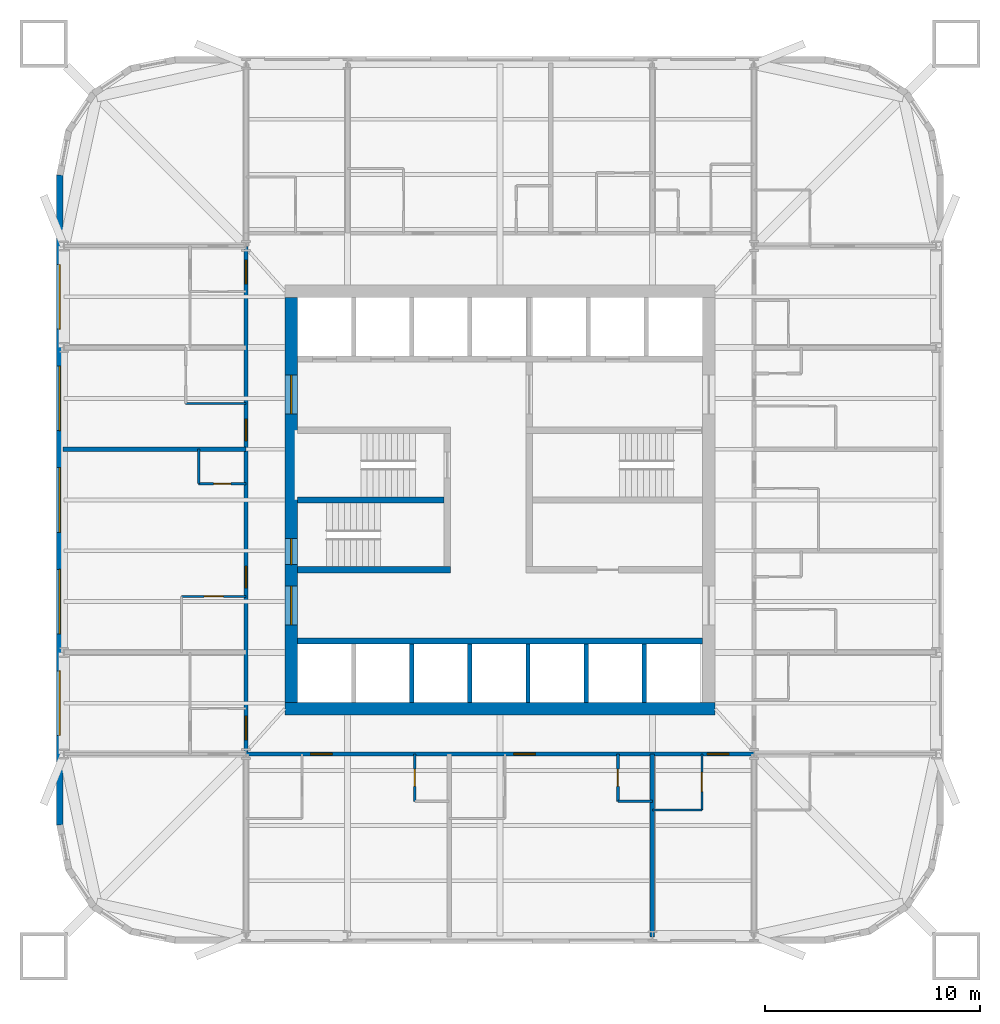
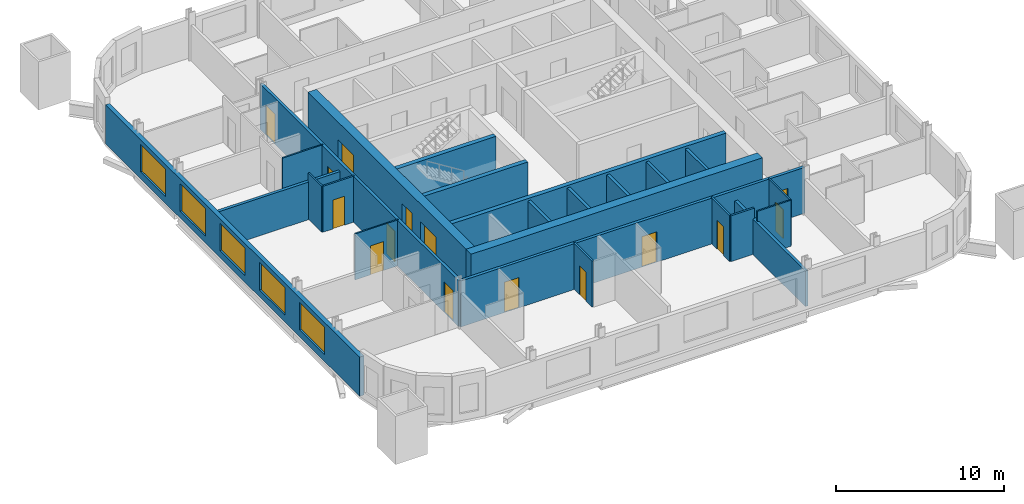
# One storey, part 3 of 8: 24 walls, 15 doors, 5 windows, 20 openings.
"""IFC4 building model written with IfcOpenShell, lengths in metres."""

from ifc_helpers import new_model, si_unit, direction, frame, frame_2d, origin, place, context, subcontext, project, spatial, rectangle, extrude, material, layer, layer_set, type_object, element, fill, save


model = new_model("IFC4")

# Units and contexts
model_context = context("Model", 3, precision=1e-05, world=origin(), true_north=direction((0.0, 1.0)))
body_context = subcontext(model_context, "Body", "Model", "MODEL_VIEW")
ifc_project = project(units=[si_unit("LENGTHUNIT", "METRE"), si_unit("AREAUNIT", "SQUARE_METRE"), si_unit("VOLUMEUNIT", "CUBIC_METRE"), si_unit("PLANEANGLEUNIT", "RADIAN"), si_unit("MASSUNIT", "GRAM", prefix="KILO")], contexts=[model_context])

# Site, building, storey
site_placement = place(None, origin())
site = spatial("IfcSite", under=ifc_project, at=site_placement, CompositionType="ELEMENT")
building_placement = place(site_placement, origin())
building = spatial("IfcBuilding", under=site, at=building_placement, Name="Turquesa Mirador Hotel Tower", CompositionType="ELEMENT")
storey_placement = place(building_placement, frame((0.0, 0.0, 103.89990234375)))
storey = spatial("IfcBuildingStorey", under=building, at=storey_placement, Name="L27", CompositionType="ELEMENT", Elevation=103.89990234375)

# Wall
ifc_material_1 = material(Name="Gypsum board on steel studs", Category="steel")
ifc_layer_1 = layer(ifc_material_1, 0.10009765625)
ifc_layer_set_1 = layer_set([ifc_layer_1], Name="BATHROOM WALL 100")
wall_type_1 = type_object("IfcWallType", Name="BATHROOM WALL 100", PredefinedType="PARTITIONING", material=ifc_layer_set_1)
wall_1_placement = place(storey_placement, frame((62.080078125, 30.60009765625, 0.0), z_axis=(0.0, 0.0, 1.0), x_axis=(1.0, 0.0, 0.0)))
element("IfcWall", 1, at=wall_1_placement, inside=storey, type_object=wall_type_1, Name="Partition L27 007", PredefinedType="PARTITIONING", context=body_context, shape_type="SweptSolid", body=[
    extrude(rectangle(XDim=2.2998046875, YDim=0.10009765625, at=frame_2d((1.14990234375, 0.0))), origin(), (0.0, 0.0, 1.0), 3.330078125),
])

# Wall, opening, door
wall_2_placement = place(storey_placement, frame((40.199951171875, 40.52001953125, 0.0), z_axis=(0.0, 0.0, 1.0), x_axis=(1.0, 0.0, 0.0)))
wall_2 = element("IfcWall", 2, at=wall_2_placement, inside=storey, type_object=wall_type_1, Name="Partition L27 013", PredefinedType="PARTITIONING", context=body_context, shape_type="SweptSolid", body=[
    extrude(rectangle(XDim=3.0, YDim=0.10009765625, at=frame_2d((1.5, 0.0))), origin(), (0.0, 0.0, 1.0), 3.330078125),
])
opening_1_placement = place(wall_2_placement, frame((1.050048828125, 0.0, 0.0)))
opening_1 = element("IfcOpeningElement", 3, at=opening_1_placement, cuts=wall_2, Name="Opening D02", PredefinedType="OPENING", context=body_context, shape_type="SweptSolid", body=[
    extrude(rectangle(XDim=0.89990234375, YDim=2.10009765625, at=frame_2d((0.449951171875, 1.050048828125))), frame((0.0, 0.06005859375, 0.0), z_axis=(0.0, -1.0, 0.0), x_axis=(1.0, 0.0, 0.0)), (0.0, 0.0, 1.0), 0.1201171875),
])
ifc_material_2 = material(Name="Timber veneered door", Category="wood")
door_type_1 = type_object("IfcDoorType", Name="DOOR 900X2100 EN-SUITE", OperationType="SINGLE_SWING_RIGHT", PredefinedType="DOOR", material=ifc_material_2)
door_1_placement = place(opening_1_placement, origin())
door_1 = element("IfcDoor", 4, at=door_1_placement, inside=storey, type_object=door_type_1, Name="Door 2711B", OperationType="SINGLE_SWING_RIGHT", OverallHeight=2.10009765625, OverallWidth=0.89990234375, PredefinedType="DOOR", context=body_context, shape_type="SweptSolid", body=[
    extrude(rectangle(XDim=0.89990234375, YDim=2.10009765625, at=frame_2d((0.449951171875, 1.050048828125))), frame((0.0, 0.02490234375, 0.0), z_axis=(0.0, -1.0, 0.0), x_axis=(1.0, 0.0, 0.0)), (0.0, 0.0, 1.0), 0.050048828125),
])
fill(opening_1, door_1)

# Wall
wall_3_placement = place(storey_placement, frame((40.39990234375, 49.47998046875, 0.0), z_axis=(0.0, 0.0, 1.0), x_axis=(1.0, 0.0, 0.0)))
element("IfcWall", 5, at=wall_3_placement, inside=storey, type_object=wall_type_1, Name="Partition L27 035", PredefinedType="PARTITIONING", context=body_context, shape_type="SweptSolid", body=[
    extrude(rectangle(XDim=2.800048828125, YDim=0.10009765625, at=frame_2d((1.39990234375, 0.0))), origin(), (0.0, 0.0, 1.0), 3.330078125),
])

# Wall, opening, door
wall_4_placement = place(storey_placement, frame((64.3798828125, 30.60009765625, 0.0), z_axis=(0.0, 0.0, 1.0), x_axis=(0.0, 1.0, 0.0)))
wall_4 = element("IfcWall", 6, at=wall_4_placement, inside=storey, type_object=wall_type_1, Name="Partition L27 078", PredefinedType="PARTITIONING", context=body_context, shape_type="SweptSolid", body=[
    extrude(rectangle(XDim=2.599853515625, YDim=0.10009765625, at=frame_2d((1.2998046875, 0.0))), origin(), (0.0, 0.0, 1.0), 3.330078125),
])
opening_2_placement = place(wall_4_placement, frame((0.85009765625, 0.0, 0.0)))
opening_2 = element("IfcOpeningElement", 7, at=opening_2_placement, cuts=wall_4, Name="Opening D02", PredefinedType="OPENING", context=body_context, shape_type="SweptSolid", body=[
    extrude(rectangle(XDim=0.89990234375, YDim=2.10009765625, at=frame_2d((0.449951171875, 1.050048828125))), frame((0.0, 0.06005859375, 0.0), z_axis=(0.0, -1.0, 0.0), x_axis=(1.0, 0.0, 0.0)), (0.0, 0.0, 1.0), 0.1201171875),
])
door_2_placement = place(opening_2_placement, origin())
door_2 = element("IfcDoor", 8, at=door_2_placement, inside=storey, type_object=door_type_1, Name="Door 2707B", OperationType="SINGLE_SWING_RIGHT", OverallHeight=2.10009765625, OverallWidth=0.89990234375, PredefinedType="DOOR", context=body_context, shape_type="SweptSolid", body=[
    extrude(rectangle(XDim=0.89990234375, YDim=2.10009765625, at=frame_2d((0.449951171875, 1.050048828125))), frame((0.0, 0.02490234375, 0.0), z_axis=(0.0, -1.0, 0.0), x_axis=(1.0, 0.0, 0.0)), (0.0, 0.0, 1.0), 0.050048828125),
])
fill(opening_2, door_2)

# Walls
ifc_material_3 = material(Name="Concrete C50/60", Category="concrete")
ifc_layer_2 = layer(ifc_material_3, 0.300048828125)
ifc_layer_set_2 = layer_set([ifc_layer_2], Name="CORE INNER WALL 300")
wall_type_2 = type_object("IfcWallType", Name="CORE INNER WALL 300", PredefinedType="SHEAR", material=ifc_layer_set_2)
wall_5_placement = place(storey_placement, frame((45.60009765625, 38.449951171875, 0.0), z_axis=(0.0, 0.0, 1.0), x_axis=(1.0, 0.0, 0.0)))
element("IfcWall", 9, at=wall_5_placement, inside=storey, type_object=wall_type_2, Name="Core wall SL", PredefinedType="SHEAR", context=body_context, shape_type="SweptSolid", body=[
    extrude(rectangle(XDim=18.7998046875, YDim=0.300048828125, at=frame_2d((9.39990234375, 0.0))), origin(), (0.0, 0.0, 1.0), 3.5),
])
wall_6_placement = place(storey_placement, frame((45.60009765625, 41.75, 0.0), z_axis=(0.0, 0.0, 1.0), x_axis=(1.0, 0.0, 0.0)))
element("IfcWall", 10, at=wall_6_placement, inside=storey, type_object=wall_type_2, Name="Core wall MS-W", PredefinedType="SHEAR", context=body_context, shape_type="SweptSolid", body=[
    extrude(rectangle(XDim=7.099853515625, YDim=0.300048828125, at=frame_2d((3.5498046875, 0.0))), origin(), (0.0, 0.0, 1.0), 3.5),
])
wall_7_placement = place(storey_placement, frame((45.60009765625, 45.0, 0.0), z_axis=(0.0, 0.0, 1.0), x_axis=(1.0, 0.0, 0.0)))
element("IfcWall", 11, at=wall_7_placement, inside=storey, type_object=wall_type_2, Name="Core wall M0-W", PredefinedType="SHEAR", context=body_context, shape_type="SweptSolid", body=[
    extrude(rectangle(XDim=6.7998046875, YDim=0.300048828125, at=frame_2d((3.39990234375, 0.0))), origin(), (0.0, 0.0, 1.0), 3.5),
])
ifc_material_4 = material(Name="Concrete C50/60", Category="concrete")
ifc_layer_3 = layer(ifc_material_4, 0.60009765625)
ifc_layer_set_3 = layer_set([ifc_layer_3], Name="CORE WALL 600")
wall_type_3 = type_object("IfcWallType", Name="CORE WALL 600", PredefinedType="SHEAR", material=ifc_layer_set_3)
wall_8_placement = place(storey_placement, frame((45.0, 35.300048828125, 0.0), z_axis=(0.0, 0.0, 1.0), x_axis=(1.0, 0.0, 0.0)))
element("IfcWall", 12, at=wall_8_placement, inside=storey, type_object=wall_type_3, Name="Core wall S", PredefinedType="SHEAR", context=body_context, shape_type="SweptSolid", body=[
    extrude(rectangle(XDim=20.0, YDim=0.60009765625, at=frame_2d((10.0, 0.0))), origin(), (0.0, 0.0, 1.0), 3.5),
])

# Wall, openings, doors
wall_9_placement = place(storey_placement, frame((45.300048828125, 35.60009765625, 0.0), z_axis=(0.0, 0.0, 1.0), x_axis=(0.0, 1.0, 0.0)))
wall_9 = element("IfcWall", 13, at=wall_9_placement, inside=storey, type_object=wall_type_3, Name="Core wall W", PredefinedType="SHEAR", context=body_context, shape_type="SweptSolid", body=[
    extrude(rectangle(XDim=18.7998046875, YDim=0.60009765625, at=frame_2d((9.39990234375, 0.0))), origin(), (0.0, 0.0, 1.0), 3.5),
])
opening_3_placement = place(wall_9_placement, frame((13.39990234375, 0.0, 0.0)))
opening_3 = element("IfcOpeningElement", 14, at=opening_3_placement, cuts=wall_9, Name="Opening D04", PredefinedType="OPENING", context=body_context, shape_type="SweptSolid", body=[
    extrude(rectangle(XDim=1.800048828125, YDim=2.199951171875, at=frame_2d((0.89990234375, 1.10009765625))), frame((0.0, 0.31005859375, 0.0), z_axis=(0.0, -1.0, 0.0), x_axis=(1.0, 0.0, 0.0)), (0.0, 0.0, 1.0), 0.6201171875),
])
opening_4_placement = place(wall_9_placement, frame((3.60009765625, 0.0, 0.0)))
opening_4 = element("IfcOpeningElement", 15, at=opening_4_placement, cuts=wall_9, Name="Opening D04", PredefinedType="OPENING", context=body_context, shape_type="SweptSolid", body=[
    extrude(rectangle(XDim=1.800048828125, YDim=2.199951171875, at=frame_2d((0.89990234375, 1.10009765625))), frame((0.0, 0.31005859375, 0.0), z_axis=(0.0, -1.0, 0.0), x_axis=(1.0, 0.0, 0.0)), (0.0, 0.0, 1.0), 0.6201171875),
])
opening_5_placement = place(wall_9_placement, frame((6.39990234375, 0.0, 0.0)))
opening_5 = element("IfcOpeningElement", 16, at=opening_5_placement, cuts=wall_9, Name="Opening D03", PredefinedType="OPENING", context=body_context, shape_type="SweptSolid", body=[
    extrude(rectangle(XDim=1.199951171875, YDim=2.199951171875, at=frame_2d((0.60009765625, 1.10009765625))), frame((0.0, 0.31005859375, 0.0), z_axis=(0.0, -1.0, 0.0), x_axis=(1.0, 0.0, 0.0)), (0.0, 0.0, 1.0), 0.6201171875),
])
ifc_material_5 = material(Name="Steel fire door", Category="steel")
door_type_2 = type_object("IfcDoorType", Name="DOOR 1200X2200 STAIR", OperationType="SINGLE_SWING_LEFT", PredefinedType="DOOR", material=ifc_material_5)
door_3_placement = place(opening_5_placement, origin())
door_3 = element("IfcDoor", 17, at=door_3_placement, inside=storey, type_object=door_type_2, Name="Stair ST2 door", OperationType="SINGLE_SWING_LEFT", OverallHeight=2.199951171875, OverallWidth=1.199951171875, PredefinedType="DOOR", context=body_context, shape_type="SweptSolid", body=[
    extrude(rectangle(XDim=1.199951171875, YDim=2.199951171875, at=frame_2d((0.60009765625, 1.10009765625))), frame((0.0, 0.02490234375, 0.0), z_axis=(0.0, -1.0, 0.0), x_axis=(1.0, 0.0, 0.0)), (0.0, 0.0, 1.0), 0.050048828125),
])
fill(opening_5, door_3)
ifc_material_6 = material(Name="Steel fire door pair", Category="steel")
door_type_3 = type_object("IfcDoorType", Name="DOOR 1800X2200 PAIR", OperationType="DOUBLE_DOOR_SINGLE_SWING", PredefinedType="DOOR", material=ifc_material_6)
door_4_placement = place(opening_3_placement, origin())
door_4 = element("IfcDoor", 18, at=door_4_placement, inside=storey, type_object=door_type_3, Name="North lift lobby door", OperationType="DOUBLE_DOOR_SINGLE_SWING", OverallHeight=2.199951171875, OverallWidth=1.800048828125, PredefinedType="DOOR", context=body_context, shape_type="SweptSolid", body=[
    extrude(rectangle(XDim=1.800048828125, YDim=2.199951171875, at=frame_2d((0.89990234375, 1.10009765625))), frame((0.0, 0.02490234375, 0.0), z_axis=(0.0, -1.0, 0.0), x_axis=(1.0, 0.0, 0.0)), (0.0, 0.0, 1.0), 0.050048828125),
])
fill(opening_3, door_4)
door_5_placement = place(opening_4_placement, origin())
door_5 = element("IfcDoor", 19, at=door_5_placement, inside=storey, type_object=door_type_3, Name="South lift lobby door", OperationType="DOUBLE_DOOR_SINGLE_SWING", OverallHeight=2.199951171875, OverallWidth=1.800048828125, PredefinedType="DOOR", context=body_context, shape_type="SweptSolid", body=[
    extrude(rectangle(XDim=1.800048828125, YDim=2.199951171875, at=frame_2d((0.89990234375, 1.10009765625))), frame((0.0, 0.02490234375, 0.0), z_axis=(0.0, -1.0, 0.0), x_axis=(1.0, 0.0, 0.0)), (0.0, 0.0, 1.0), 0.050048828125),
])
fill(opening_4, door_5)

ifc_material_7 = material(Name="Fire-rated gypsum board on steel studs", Category="steel")
ifc_layer_4 = layer(ifc_material_7, 0.199951171875)
ifc_layer_set_4 = layer_set([ifc_layer_4], Name="CORRIDOR WALL 200")
wall_type_4 = type_object("IfcWallType", Name="CORRIDOR WALL 200", PredefinedType="PARTITIONING", material=ifc_layer_set_4)
wall_10_placement = place(storey_placement, frame((43.199951171875, 33.199951171875, 0.0), z_axis=(0.0, 0.0, 1.0), x_axis=(1.0, 0.0, 0.0)))
wall_10 = element("IfcWall", 20, at=wall_10_placement, inside=storey, type_object=wall_type_4, Name="Partition L27 002", PredefinedType="PARTITIONING", context=body_context, shape_type="SweptSolid", body=[
    extrude(rectangle(XDim=23.60009765625, YDim=0.199951171875, at=frame_2d((11.800048828125, 0.0))), origin(), (0.0, 0.0, 1.0), 3.330078125),
])
opening_6_placement = place(wall_10_placement, frame((3.0, 0.0, 0.0)))
opening_6 = element("IfcOpeningElement", 21, at=opening_6_placement, cuts=wall_10, Name="Opening D01", PredefinedType="OPENING", context=body_context, shape_type="SweptSolid", body=[
    extrude(rectangle(XDim=1.0, YDim=2.199951171875, at=frame_2d((0.5, 1.10009765625))), frame((0.0, 0.10986328125, 0.0), z_axis=(0.0, -1.0, 0.0), x_axis=(1.0, 0.0, 0.0)), (0.0, 0.0, 1.0), 0.219970703125),
])
opening_7_placement = place(wall_10_placement, frame((12.43994140625, 0.0, 0.0)))
opening_7 = element("IfcOpeningElement", 22, at=opening_7_placement, cuts=wall_10, Name="Opening D01", PredefinedType="OPENING", context=body_context, shape_type="SweptSolid", body=[
    extrude(rectangle(XDim=1.0, YDim=2.199951171875, at=frame_2d((0.5, 1.10009765625))), frame((0.0, 0.10986328125, 0.0), z_axis=(0.0, -1.0, 0.0), x_axis=(1.0, 0.0, 0.0)), (0.0, 0.0, 1.0), 0.219970703125),
])
opening_8_placement = place(wall_10_placement, frame((21.429931640625, 0.0, 0.0)))
opening_8 = element("IfcOpeningElement", 23, at=opening_8_placement, cuts=wall_10, Name="Opening D01", PredefinedType="OPENING", context=body_context, shape_type="SweptSolid", body=[
    extrude(rectangle(XDim=1.0, YDim=2.199951171875, at=frame_2d((0.5, 1.10009765625))), frame((0.0, 0.10986328125, 0.0), z_axis=(0.0, -1.0, 0.0), x_axis=(1.0, 0.0, 0.0)), (0.0, 0.0, 1.0), 0.219970703125),
])
ifc_material_8 = material(Name="Timber veneered fire door", Category="wood")
door_type_4 = type_object("IfcDoorType", Name="DOOR 1000X2200 GUEST ENTRY", OperationType="SINGLE_SWING_LEFT", PredefinedType="DOOR", material=ifc_material_8)
door_6_placement = place(opening_6_placement, origin())
door_6 = element("IfcDoor", 24, at=door_6_placement, inside=storey, type_object=door_type_4, Name="Door 2705", OperationType="SINGLE_SWING_LEFT", OverallHeight=2.199951171875, OverallWidth=1.0, PredefinedType="DOOR", context=body_context, shape_type="SweptSolid", body=[
    extrude(rectangle(XDim=1.0, YDim=2.199951171875, at=frame_2d((0.5, 1.10009765625))), frame((0.0, 0.02490234375, 0.0), z_axis=(0.0, -1.0, 0.0), x_axis=(1.0, 0.0, 0.0)), (0.0, 0.0, 1.0), 0.050048828125),
])
fill(opening_6, door_6)
door_7_placement = place(opening_7_placement, origin())
door_7 = element("IfcDoor", 25, at=door_7_placement, inside=storey, type_object=door_type_4, Name="Door 2706", OperationType="SINGLE_SWING_LEFT", OverallHeight=2.199951171875, OverallWidth=1.0, PredefinedType="DOOR", context=body_context, shape_type="SweptSolid", body=[
    extrude(rectangle(XDim=1.0, YDim=2.199951171875, at=frame_2d((0.5, 1.10009765625))), frame((0.0, 0.02490234375, 0.0), z_axis=(0.0, -1.0, 0.0), x_axis=(1.0, 0.0, 0.0)), (0.0, 0.0, 1.0), 0.050048828125),
])
fill(opening_7, door_7)
door_8_placement = place(opening_8_placement, origin())
door_8 = element("IfcDoor", 26, at=door_8_placement, inside=storey, type_object=door_type_4, Name="Door 2707", OperationType="SINGLE_SWING_LEFT", OverallHeight=2.199951171875, OverallWidth=1.0, PredefinedType="DOOR", context=body_context, shape_type="SweptSolid", body=[
    extrude(rectangle(XDim=1.0, YDim=2.199951171875, at=frame_2d((0.5, 1.10009765625))), frame((0.0, 0.02490234375, 0.0), z_axis=(0.0, -1.0, 0.0), x_axis=(1.0, 0.0, 0.0)), (0.0, 0.0, 1.0), 0.050048828125),
])
fill(opening_8, door_8)

wall_11_placement = place(storey_placement, frame((43.199951171875, 33.199951171875, 0.0), z_axis=(0.0, 0.0, 1.0), x_axis=(0.0, 1.0, 0.0)))
wall_11 = element("IfcWall", 27, at=wall_11_placement, inside=storey, type_object=wall_type_4, Name="Partition L27 042", PredefinedType="PARTITIONING", context=body_context, shape_type="SweptSolid", body=[
    extrude(rectangle(XDim=23.580078125, YDim=0.199951171875, at=frame_2d((11.7900390625, 0.0))), origin(), (0.0, 0.0, 1.0), 3.330078125),
])
opening_9_placement = place(wall_11_placement, frame((7.719970703125, 0.0, 0.0)))
opening_9 = element("IfcOpeningElement", 28, at=opening_9_placement, cuts=wall_11, Name="Opening D01", PredefinedType="OPENING", context=body_context, shape_type="SweptSolid", body=[
    extrude(rectangle(XDim=1.0, YDim=2.199951171875, at=frame_2d((0.5, 1.10009765625))), frame((0.0, 0.10986328125, 0.0), z_axis=(0.0, -1.0, 0.0), x_axis=(1.0, 0.0, 0.0)), (0.0, 0.0, 1.0), 0.219970703125),
])
opening_10_placement = place(wall_11_placement, frame((14.56005859375, 0.0, 0.0)))
opening_10 = element("IfcOpeningElement", 29, at=opening_10_placement, cuts=wall_11, Name="Opening D01", PredefinedType="OPENING", context=body_context, shape_type="SweptSolid", body=[
    extrude(rectangle(XDim=1.0, YDim=2.199951171875, at=frame_2d((0.5, 1.10009765625))), frame((0.0, 0.10986328125, 0.0), z_axis=(0.0, -1.0, 0.0), x_axis=(1.0, 0.0, 0.0)), (0.0, 0.0, 1.0), 0.219970703125),
])
opening_11_placement = place(wall_11_placement, frame((21.840087890625, 0.0, 0.0)))
opening_11 = element("IfcOpeningElement", 30, at=opening_11_placement, cuts=wall_11, Name="Opening D15", PredefinedType="OPENING", context=body_context, shape_type="SweptSolid", body=[
    extrude(rectangle(XDim=1.10009765625, YDim=2.199951171875, at=frame_2d((0.550048828125, 1.10009765625))), frame((0.0, 0.10986328125, 0.0), z_axis=(0.0, -1.0, 0.0), x_axis=(1.0, 0.0, 0.0)), (0.0, 0.0, 1.0), 0.219970703125),
])
opening_12_placement = place(wall_11_placement, frame((0.659912109375, 0.0, 0.0)))
opening_12 = element("IfcOpeningElement", 31, at=opening_12_placement, cuts=wall_11, Name="Opening D15", PredefinedType="OPENING", context=body_context, shape_type="SweptSolid", body=[
    extrude(rectangle(XDim=1.10009765625, YDim=2.199951171875, at=frame_2d((0.550048828125, 1.10009765625))), frame((0.0, 0.10986328125, 0.0), z_axis=(0.0, -1.0, 0.0), x_axis=(1.0, 0.0, 0.0)), (0.0, 0.0, 1.0), 0.219970703125),
])
door_9_placement = place(opening_9_placement, origin())
door_9 = element("IfcDoor", 32, at=door_9_placement, inside=storey, type_object=door_type_4, Name="Door 2711", OperationType="SINGLE_SWING_LEFT", OverallHeight=2.199951171875, OverallWidth=1.0, PredefinedType="DOOR", context=body_context, shape_type="SweptSolid", body=[
    extrude(rectangle(XDim=1.0, YDim=2.199951171875, at=frame_2d((0.5, 1.10009765625))), frame((0.0, 0.02490234375, 0.0), z_axis=(0.0, -1.0, 0.0), x_axis=(1.0, 0.0, 0.0)), (0.0, 0.0, 1.0), 0.050048828125),
])
fill(opening_9, door_9)
door_10_placement = place(opening_10_placement, origin())
door_10 = element("IfcDoor", 33, at=door_10_placement, inside=storey, type_object=door_type_4, Name="Door 2712", OperationType="SINGLE_SWING_LEFT", OverallHeight=2.199951171875, OverallWidth=1.0, PredefinedType="DOOR", context=body_context, shape_type="SweptSolid", body=[
    extrude(rectangle(XDim=1.0, YDim=2.199951171875, at=frame_2d((0.5, 1.10009765625))), frame((0.0, 0.02490234375, 0.0), z_axis=(0.0, -1.0, 0.0), x_axis=(1.0, 0.0, 0.0)), (0.0, 0.0, 1.0), 0.050048828125),
])
fill(opening_10, door_10)
ifc_material_9 = material(Name="Timber veneered fire door", Category="wood")
door_type_5 = type_object("IfcDoorType", Name="DOOR 1100X2200 SUITE ENTRY", OperationType="SINGLE_SWING_LEFT", PredefinedType="DOOR", material=ifc_material_9)
door_11_placement = place(opening_11_placement, origin())
door_11 = element("IfcDoor", 34, at=door_11_placement, inside=storey, type_object=door_type_5, Name="Door 2714H", OperationType="SINGLE_SWING_LEFT", OverallHeight=2.199951171875, OverallWidth=1.10009765625, PredefinedType="DOOR", context=body_context, shape_type="SweptSolid", body=[
    extrude(rectangle(XDim=1.10009765625, YDim=2.199951171875, at=frame_2d((0.550048828125, 1.10009765625))), frame((0.0, 0.02490234375, 0.0), z_axis=(0.0, -1.0, 0.0), x_axis=(1.0, 0.0, 0.0)), (0.0, 0.0, 1.0), 0.050048828125),
])
fill(opening_11, door_11)
door_12_placement = place(opening_12_placement, origin())
door_12 = element("IfcDoor", 35, at=door_12_placement, inside=storey, type_object=door_type_5, Name="Door 2715H", OperationType="SINGLE_SWING_LEFT", OverallHeight=2.199951171875, OverallWidth=1.10009765625, PredefinedType="DOOR", context=body_context, shape_type="SweptSolid", body=[
    extrude(rectangle(XDim=1.10009765625, YDim=2.199951171875, at=frame_2d((0.550048828125, 1.10009765625))), frame((0.0, 0.02490234375, 0.0), z_axis=(0.0, -1.0, 0.0), x_axis=(1.0, 0.0, 0.0)), (0.0, 0.0, 1.0), 0.050048828125),
])
fill(opening_12, door_12)

# Wall, openings, windows
ifc_material_10 = material(Name="Limestone cladding on concrete block", Category="masonry")
ifc_layer_5 = layer(ifc_material_10, 0.300048828125)
ifc_layer_set_5 = layer_set([ifc_layer_5], Name="FACADE WALL 300 STONE SCREEN")
wall_type_5 = type_object("IfcWallType", Name="FACADE WALL 300 STONE SCREEN", PredefinedType="SOLIDWALL", material=ifc_layer_set_5)
wall_12_placement = place(storey_placement, frame((34.550048828125, 60.10009765625, 0.0), z_axis=(0.0, 0.0, 1.0), x_axis=(0.0, -1.0, 0.0)))
wall_12 = element("IfcWall", 36, at=wall_12_placement, inside=storey, type_object=wall_type_5, Name="Facade wall L27 14", PredefinedType="SOLIDWALL", context=body_context, shape_type="SweptSolid", body=[
    extrude(rectangle(XDim=30.2001953125, YDim=0.300048828125, at=frame_2d((15.10009765625, 0.0))), origin(), (0.0, 0.0, 1.0), 2.830078125),
])
opening_13_placement = place(wall_12_placement, frame((4.159912109375, 0.0, 0.5)))
opening_13 = element("IfcOpeningElement", 37, at=opening_13_placement, cuts=wall_12, Name="Opening WN1", PredefinedType="OPENING", context=body_context, shape_type="SweptSolid", body=[
    extrude(rectangle(XDim=3.0, YDim=2.0, at=frame_2d((1.5, 1.0))), frame((0.0, 0.159912109375, 0.0), z_axis=(0.0, -1.0, 0.0), x_axis=(1.0, 0.0, 0.0)), (0.0, 0.0, 1.0), 0.320068359375),
])
opening_14_placement = place(wall_12_placement, frame((8.8798828125, 0.0, 0.5)))
opening_14 = element("IfcOpeningElement", 38, at=opening_14_placement, cuts=wall_12, Name="Opening WN1", PredefinedType="OPENING", context=body_context, shape_type="SweptSolid", body=[
    extrude(rectangle(XDim=3.0, YDim=2.0, at=frame_2d((1.5, 1.0))), frame((0.0, 0.159912109375, 0.0), z_axis=(0.0, -1.0, 0.0), x_axis=(1.0, 0.0, 0.0)), (0.0, 0.0, 1.0), 0.320068359375),
])
opening_15_placement = place(wall_12_placement, frame((13.60009765625, 0.0, 0.5)))
opening_15 = element("IfcOpeningElement", 39, at=opening_15_placement, cuts=wall_12, Name="Opening WN1", PredefinedType="OPENING", context=body_context, shape_type="SweptSolid", body=[
    extrude(rectangle(XDim=3.0, YDim=2.0, at=frame_2d((1.5, 1.0))), frame((0.0, 0.159912109375, 0.0), z_axis=(0.0, -1.0, 0.0), x_axis=(1.0, 0.0, 0.0)), (0.0, 0.0, 1.0), 0.320068359375),
])
opening_16_placement = place(wall_12_placement, frame((18.320068359375, 0.0, 0.5)))
opening_16 = element("IfcOpeningElement", 40, at=opening_16_placement, cuts=wall_12, Name="Opening WN1", PredefinedType="OPENING", context=body_context, shape_type="SweptSolid", body=[
    extrude(rectangle(XDim=3.0, YDim=2.0, at=frame_2d((1.5, 1.0))), frame((0.0, 0.159912109375, 0.0), z_axis=(0.0, -1.0, 0.0), x_axis=(1.0, 0.0, 0.0)), (0.0, 0.0, 1.0), 0.320068359375),
])
opening_17_placement = place(wall_12_placement, frame((23.0400390625, 0.0, 0.5)))
opening_17 = element("IfcOpeningElement", 41, at=opening_17_placement, cuts=wall_12, Name="Opening WN1", PredefinedType="OPENING", context=body_context, shape_type="SweptSolid", body=[
    extrude(rectangle(XDim=3.0, YDim=2.0, at=frame_2d((1.5, 1.0))), frame((0.0, 0.159912109375, 0.0), z_axis=(0.0, -1.0, 0.0), x_axis=(1.0, 0.0, 0.0)), (0.0, 0.0, 1.0), 0.320068359375),
])
ifc_material_11 = material(Name="Ceramic-fritted laminated glass", Category="glass")
window_type = type_object("IfcWindowType", Name="FRITTED WINDOW 3000X2000", PartitioningType="DOUBLE_PANEL_HORIZONTAL", PredefinedType="WINDOW", material=ifc_material_11)
window_1_placement = place(opening_13_placement, origin())
window_1 = element("IfcWindow", 42, at=window_1_placement, inside=storey, type_object=window_type, Name="Window L27", OverallHeight=2.0, OverallWidth=3.0, PartitioningType="SINGLE_PANEL", PredefinedType="WINDOW", context=body_context, shape_type="SweptSolid", body=[
    extrude(rectangle(XDim=3.0, YDim=2.0, at=frame_2d((1.5, 1.0))), frame((0.0, 0.030029296875, 0.0), z_axis=(0.0, -1.0, 0.0), x_axis=(1.0, 0.0, 0.0)), (0.0, 0.0, 1.0), 0.06005859375),
])
fill(opening_13, window_1)
window_2_placement = place(opening_14_placement, origin())
window_2 = element("IfcWindow", 43, at=window_2_placement, inside=storey, type_object=window_type, Name="Window L27", OverallHeight=2.0, OverallWidth=3.0, PartitioningType="SINGLE_PANEL", PredefinedType="WINDOW", context=body_context, shape_type="SweptSolid", body=[
    extrude(rectangle(XDim=3.0, YDim=2.0, at=frame_2d((1.5, 1.0))), frame((0.0, 0.030029296875, 0.0), z_axis=(0.0, -1.0, 0.0), x_axis=(1.0, 0.0, 0.0)), (0.0, 0.0, 1.0), 0.06005859375),
])
fill(opening_14, window_2)
window_3_placement = place(opening_15_placement, origin())
window_3 = element("IfcWindow", 44, at=window_3_placement, inside=storey, type_object=window_type, Name="Window L27", OverallHeight=2.0, OverallWidth=3.0, PartitioningType="SINGLE_PANEL", PredefinedType="WINDOW", context=body_context, shape_type="SweptSolid", body=[
    extrude(rectangle(XDim=3.0, YDim=2.0, at=frame_2d((1.5, 1.0))), frame((0.0, 0.030029296875, 0.0), z_axis=(0.0, -1.0, 0.0), x_axis=(1.0, 0.0, 0.0)), (0.0, 0.0, 1.0), 0.06005859375),
])
fill(opening_15, window_3)
window_4_placement = place(opening_16_placement, origin())
window_4 = element("IfcWindow", 45, at=window_4_placement, inside=storey, type_object=window_type, Name="Window L27", OverallHeight=2.0, OverallWidth=3.0, PartitioningType="SINGLE_PANEL", PredefinedType="WINDOW", context=body_context, shape_type="SweptSolid", body=[
    extrude(rectangle(XDim=3.0, YDim=2.0, at=frame_2d((1.5, 1.0))), frame((0.0, 0.030029296875, 0.0), z_axis=(0.0, -1.0, 0.0), x_axis=(1.0, 0.0, 0.0)), (0.0, 0.0, 1.0), 0.06005859375),
])
fill(opening_16, window_4)
window_5_placement = place(opening_17_placement, origin())
window_5 = element("IfcWindow", 46, at=window_5_placement, inside=storey, type_object=window_type, Name="Window L27", OverallHeight=2.0, OverallWidth=3.0, PartitioningType="SINGLE_PANEL", PredefinedType="WINDOW", context=body_context, shape_type="SweptSolid", body=[
    extrude(rectangle(XDim=3.0, YDim=2.0, at=frame_2d((1.5, 1.0))), frame((0.0, 0.030029296875, 0.0), z_axis=(0.0, -1.0, 0.0), x_axis=(1.0, 0.0, 0.0)), (0.0, 0.0, 1.0), 0.06005859375),
])
fill(opening_17, window_5)

# Walls
ifc_material_12 = material(Name="Fire-rated gypsum shaft wall on steel studs", Category="steel")
ifc_layer_6 = layer(ifc_material_12, 0.199951171875)
ifc_layer_set_6 = layer_set([ifc_layer_6], Name="LIFT SHAFT DIVIDER 200")
wall_type_6 = type_object("IfcWallType", Name="LIFT SHAFT DIVIDER 200", PredefinedType="PARTITIONING", material=ifc_layer_set_6)
for number, where, z_axis, x_axis, name in (
    (47, (50.89990234375, 35.60009765625, 0.0), (0.0, 0.0, 1.0), (0.0, 1.0, 0.0), "Lift shaft divider"),
    (48, (53.60009765625, 35.60009765625, 0.0), (0.0, 0.0, 1.0), (0.0, 1.0, 0.0), "Lift shaft divider"),
    (49, (56.300048828125, 35.60009765625, 0.0), (0.0, 0.0, 1.0), (0.0, 1.0, 0.0), "Lift shaft divider"),
    (50, (59.0, 35.60009765625, 0.0), (0.0, 0.0, 1.0), (0.0, 1.0, 0.0), "Lift shaft divider"),
    (51, (61.699951171875, 35.60009765625, 0.0), (0.0, 0.0, 1.0), (0.0, 1.0, 0.0), "Lift shaft divider"),
):
    element("IfcWall", number, at=place(storey_placement, frame(where, z_axis=z_axis, x_axis=x_axis)), inside=storey, type_object=wall_type_6, Name=name, PredefinedType="PARTITIONING", context=body_context, shape_type="SweptSolid", body=[
        extrude(rectangle(XDim=2.699951171875, YDim=0.199951171875, at=frame_2d((1.35009765625, 0.0))), origin(), (0.0, 0.0, 1.0), 3.330078125),
    ])
ifc_material_13 = material(Name="Fire-rated gypsum board on steel studs", Category="steel")
ifc_layer_7 = layer(ifc_material_13, 0.199951171875)
ifc_layer_set_7 = layer_set([ifc_layer_7], Name="PARTY WALL 200")
wall_type_7 = type_object("IfcWallType", Name="PARTY WALL 200", PredefinedType="PARTITIONING", material=ifc_layer_set_7)
wall_13_placement = place(storey_placement, frame((34.699951171875, 47.360107421875, 0.0), z_axis=(0.0, 0.0, 1.0), x_axis=(1.0, 0.0, 0.0)))
element("IfcWall", 52, at=wall_13_placement, inside=storey, type_object=wall_type_7, Name="Partition L27 032", PredefinedType="PARTITIONING", context=body_context, shape_type="SweptSolid", body=[
    extrude(rectangle(XDim=8.5, YDim=0.199951171875, at=frame_2d((4.25, 0.0))), origin(), (0.0, 0.0, 1.0), 2.730712890625),
])
wall_14_placement = place(storey_placement, frame((62.080078125, 24.699951171875, 0.0), z_axis=(0.0, 0.0, 1.0), x_axis=(0.0, 1.0, 0.0)))
element("IfcWall", 53, at=wall_14_placement, inside=storey, type_object=wall_type_7, Name="Partition L27 075", PredefinedType="PARTITIONING", context=body_context, shape_type="SweptSolid", body=[
    extrude(rectangle(XDim=8.5, YDim=0.199951171875, at=frame_2d((4.25, 0.0))), origin(), (0.0, 0.0, 1.0), 2.5732421875),
])
ifc_material_14 = material(Name="Acoustic gypsum board on steel studs", Category="steel")
ifc_layer_8 = layer(ifc_material_14, 0.125)
ifc_layer_set_8 = layer_set([ifc_layer_8], Name="SUITE PARTITION 125")
wall_type_8 = type_object("IfcWallType", Name="SUITE PARTITION 125", PredefinedType="PARTITIONING", material=ifc_layer_set_8)
wall_15_placement = place(storey_placement, frame((60.47998046875, 31.0, 0.0), z_axis=(0.0, 0.0, 1.0), x_axis=(1.0, 0.0, 0.0)))
element("IfcWall", 54, at=wall_15_placement, inside=storey, type_object=wall_type_8, Name="Partition L27 006", PredefinedType="PARTITIONING", context=body_context, shape_type="SweptSolid", body=[
    extrude(rectangle(XDim=1.60009765625, YDim=0.125, at=frame_2d((0.800048828125, 0.0))), origin(), (0.0, 0.0, 1.0), 3.330078125),
])

# Wall, opening, door
wall_16_placement = place(storey_placement, frame((41.0, 45.760009765625, 0.0), z_axis=(0.0, 0.0, 1.0), x_axis=(1.0, 0.0, 0.0)))
wall_16 = element("IfcWall", 55, at=wall_16_placement, inside=storey, type_object=wall_type_8, Name="Partition L27 020", PredefinedType="PARTITIONING", context=body_context, shape_type="SweptSolid", body=[
    extrude(rectangle(XDim=2.199951171875, YDim=0.125, at=frame_2d((1.10009765625, 0.0))), origin(), (0.0, 0.0, 1.0), 3.330078125),
])
opening_18_placement = place(wall_16_placement, frame((0.699951171875, 0.0, 0.0)))
opening_18 = element("IfcOpeningElement", 56, at=opening_18_placement, cuts=wall_16, Name="Opening D20", PredefinedType="OPENING", context=body_context, shape_type="SweptSolid", body=[
    extrude(rectangle(XDim=0.800048828125, YDim=2.10009765625, at=frame_2d((0.39990234375, 1.050048828125))), frame((0.0, 0.072509765625, 0.0), z_axis=(0.0, -1.0, 0.0), x_axis=(1.0, 0.0, 0.0)), (0.0, 0.0, 1.0), 0.14501953125),
])
ifc_material_15 = material(Name="Timber veneered sliding door", Category="wood")
door_type_6 = type_object("IfcDoorType", Name="DOOR 800X2100 WARDROBE", OperationType="SLIDING_TO_LEFT", PredefinedType="DOOR", material=ifc_material_15)
door_13_placement = place(opening_18_placement, origin())
door_13 = element("IfcDoor", 57, at=door_13_placement, inside=storey, type_object=door_type_6, Name="Door 2711W", OperationType="SLIDING_TO_LEFT", OverallHeight=2.10009765625, OverallWidth=0.800048828125, PredefinedType="DOOR", context=body_context, shape_type="SweptSolid", body=[
    extrude(rectangle(XDim=0.800048828125, YDim=2.10009765625, at=frame_2d((0.39990234375, 1.050048828125))), frame((0.0, 0.02490234375, 0.0), z_axis=(0.0, -1.0, 0.0), x_axis=(1.0, 0.0, 0.0)), (0.0, 0.0, 1.0), 0.050048828125),
])
fill(opening_18, door_13)

# Wall
wall_17_placement = place(storey_placement, frame((41.0, 45.760009765625, 0.0), z_axis=(0.0, 0.0, 1.0), x_axis=(0.0, 1.0, 0.0)))
element("IfcWall", 58, at=wall_17_placement, inside=storey, type_object=wall_type_8, Name="Partition L27 045", PredefinedType="PARTITIONING", context=body_context, shape_type="SweptSolid", body=[
    extrude(rectangle(XDim=1.60009765625, YDim=0.125, at=frame_2d((0.800048828125, 0.0))), origin(), (0.0, 0.0, 1.0), 3.330078125),
])

# Wall, opening, door
wall_18_placement = place(storey_placement, frame((51.0400390625, 31.0, 0.0), z_axis=(0.0, 0.0, 1.0), x_axis=(0.0, 1.0, 0.0)))
wall_18 = element("IfcWall", 59, at=wall_18_placement, inside=storey, type_object=wall_type_8, Name="Partition L27 053", PredefinedType="PARTITIONING", context=body_context, shape_type="SweptSolid", body=[
    extrude(rectangle(XDim=2.199951171875, YDim=0.125, at=frame_2d((1.10009765625, 0.0))), origin(), (0.0, 0.0, 1.0), 3.330078125),
])
opening_19_placement = place(wall_18_placement, frame((0.699951171875, 0.0, 0.0)))
opening_19 = element("IfcOpeningElement", 60, at=opening_19_placement, cuts=wall_18, Name="Opening D20", PredefinedType="OPENING", context=body_context, shape_type="SweptSolid", body=[
    extrude(rectangle(XDim=0.800048828125, YDim=2.10009765625, at=frame_2d((0.39990234375, 1.050048828125))), frame((0.0, 0.072509765625, 0.0), z_axis=(0.0, -1.0, 0.0), x_axis=(1.0, 0.0, 0.0)), (0.0, 0.0, 1.0), 0.14501953125),
])
door_14_placement = place(opening_19_placement, origin())
door_14 = element("IfcDoor", 61, at=door_14_placement, inside=storey, type_object=door_type_6, Name="Door 2705W", OperationType="SLIDING_TO_LEFT", OverallHeight=2.10009765625, OverallWidth=0.800048828125, PredefinedType="DOOR", context=body_context, shape_type="SweptSolid", body=[
    extrude(rectangle(XDim=0.800048828125, YDim=2.10009765625, at=frame_2d((0.39990234375, 1.050048828125))), frame((0.0, 0.02490234375, 0.0), z_axis=(0.0, -1.0, 0.0), x_axis=(1.0, 0.0, 0.0)), (0.0, 0.0, 1.0), 0.050048828125),
])
fill(opening_19, door_14)

wall_19_placement = place(storey_placement, frame((60.47998046875, 31.0, 0.0), z_axis=(0.0, 0.0, 1.0), x_axis=(0.0, 1.0, 0.0)))
wall_19 = element("IfcWall", 62, at=wall_19_placement, inside=storey, type_object=wall_type_8, Name="Partition L27 074", PredefinedType="PARTITIONING", context=body_context, shape_type="SweptSolid", body=[
    extrude(rectangle(XDim=2.199951171875, YDim=0.125, at=frame_2d((1.10009765625, 0.0))), origin(), (0.0, 0.0, 1.0), 3.330078125),
])
opening_20_placement = place(wall_19_placement, frame((0.699951171875, 0.0, 0.0)))
opening_20 = element("IfcOpeningElement", 63, at=opening_20_placement, cuts=wall_19, Name="Opening D20", PredefinedType="OPENING", context=body_context, shape_type="SweptSolid", body=[
    extrude(rectangle(XDim=0.800048828125, YDim=2.10009765625, at=frame_2d((0.39990234375, 1.050048828125))), frame((0.0, 0.072509765625, 0.0), z_axis=(0.0, -1.0, 0.0), x_axis=(1.0, 0.0, 0.0)), (0.0, 0.0, 1.0), 0.14501953125),
])
door_15_placement = place(opening_20_placement, origin())
door_15 = element("IfcDoor", 64, at=door_15_placement, inside=storey, type_object=door_type_6, Name="Door 2706W", OperationType="SLIDING_TO_LEFT", OverallHeight=2.10009765625, OverallWidth=0.800048828125, PredefinedType="DOOR", context=body_context, shape_type="SweptSolid", body=[
    extrude(rectangle(XDim=0.800048828125, YDim=2.10009765625, at=frame_2d((0.39990234375, 1.050048828125))), frame((0.0, 0.02490234375, 0.0), z_axis=(0.0, -1.0, 0.0), x_axis=(1.0, 0.0, 0.0)), (0.0, 0.0, 1.0), 0.050048828125),
])
fill(opening_20, door_15)

save(model, "model.ifc")
